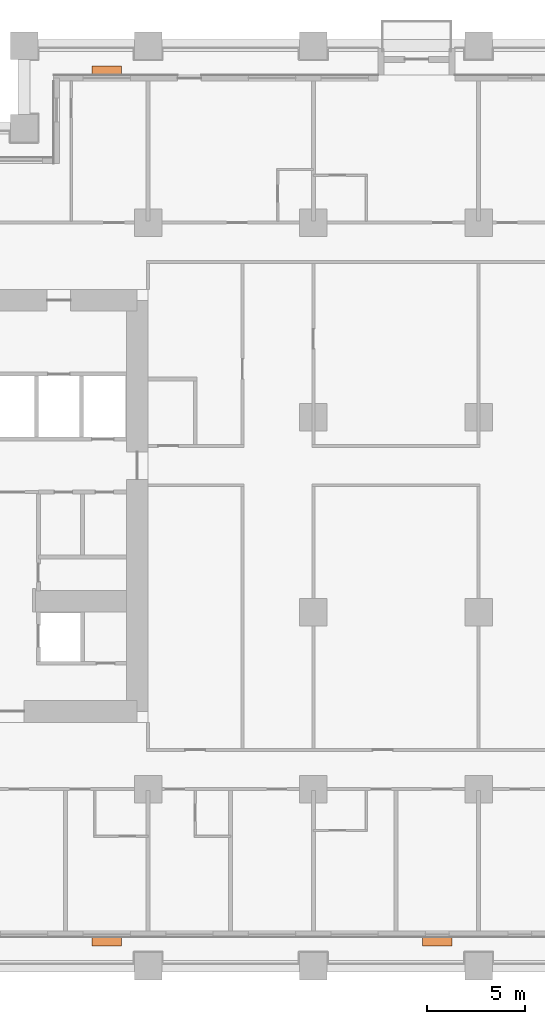
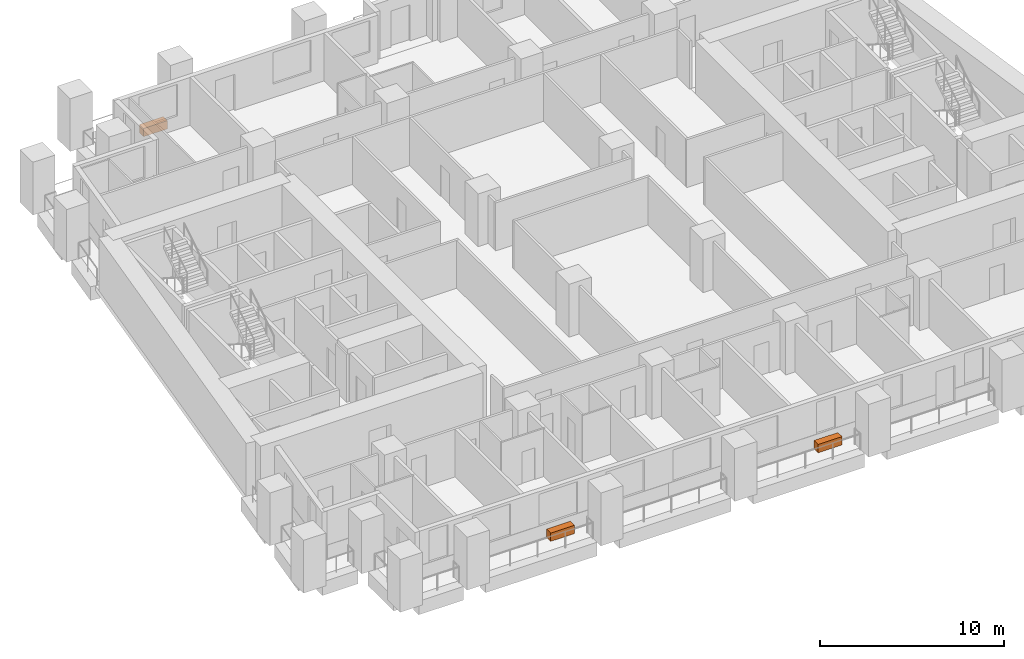
# One storey, part 12 of 12: 3 proxies.
"""IFC4 building model written with IfcOpenShell, lengths in metres."""

from ifc_helpers import new_model, si_unit, direction, frame, origin, origin_2d, place, context, subcontext, project, spatial, rectangle, extrude, element, save


model = new_model("IFC4")

# Units and contexts
model_context = context("Model", 3, precision=1e-05, world=origin(), true_north=direction((0.0, 1.0)))
body_context = subcontext(model_context, "Body", "Model", "MODEL_VIEW")
ifc_project = project(units=[si_unit("LENGTHUNIT", "METRE"), si_unit("AREAUNIT", "SQUARE_METRE"), si_unit("VOLUMEUNIT", "CUBIC_METRE"), si_unit("PLANEANGLEUNIT", "RADIAN"), si_unit("MASSUNIT", "GRAM", prefix="KILO")], contexts=[model_context])

# Site, building, storey
site_placement = place(None, origin())
site = spatial("IfcSite", under=ifc_project, at=site_placement, CompositionType="ELEMENT")
building_placement = place(site_placement, origin())
building = spatial("IfcBuilding", under=site, at=building_placement, Name="Candeia Pilgrim Tower and Theatre", CompositionType="ELEMENT")
storey_placement = place(building_placement, frame((0.0, 0.0, 49.5)))
storey = spatial("IfcBuildingStorey", under=building, at=storey_placement, Name="L09", CompositionType="ELEMENT", Elevation=49.5)

# Proxies
for number, where, z_axis, x_axis, name in (
    (1, (98.699951171875, 99.2548828125, 0.0), (0.0, 0.0, 1.0), (1.0, 0.0, 0.0), "Planter"),
    (2, (115.5, 99.2548828125, 0.0), (0.0, 0.0, 1.0), (1.0, 0.0, 0.0), "Planter"),
    (3, (98.699951171875, 143.544921875, 0.0), (0.0, 0.0, 1.0), (-1.0, 0.0, 0.0), "Planter"),
):
    element("IfcBuildingElementProxy", number, at=place(storey_placement, frame(where, z_axis=z_axis, x_axis=x_axis)), inside=storey, Name=name, ObjectType="PLANTER", PredefinedType="USERDEFINED", context=body_context, shape_type="SweptSolid", body=[
        extrude(rectangle(XDim=1.5, YDim=0.449951171875, at=origin_2d()), origin(), (0.0, 0.0, 1.0), 0.550048828125),
    ])

save(model, "model.ifc")
